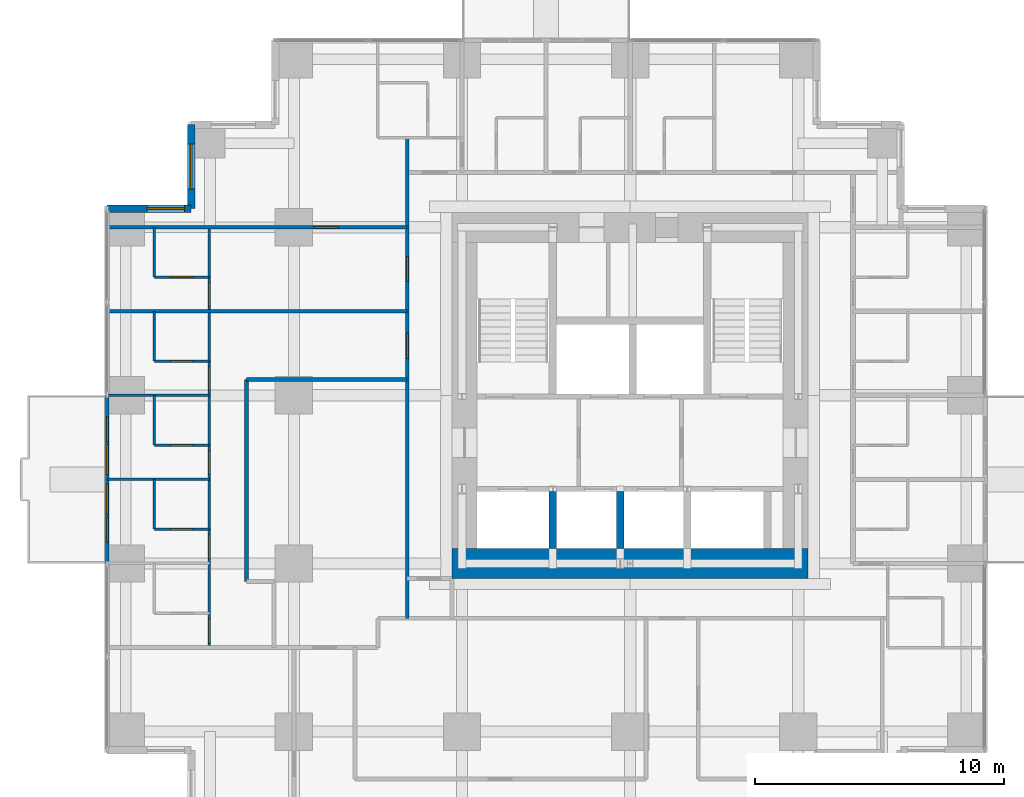
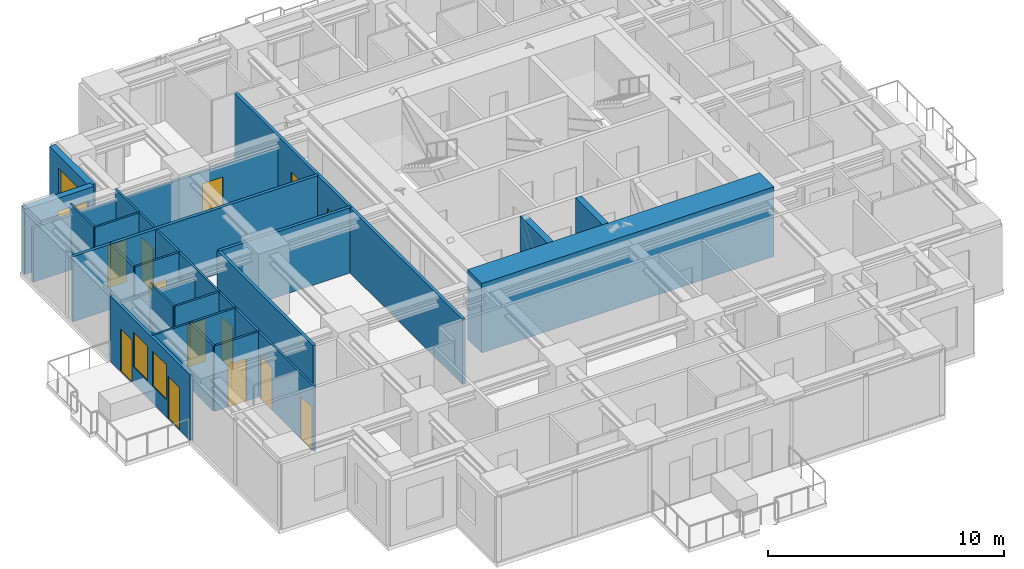
# One storey, part 6 of 10: 22 walls, 14 doors, 4 windows, 18 openings.
"""IFC4 building model written with IfcOpenShell, lengths in metres."""

from ifc_helpers import new_model, si_unit, direction, frame, frame_2d, origin, place, context, subcontext, project, spatial, rectangle, extrude, material, layer, layer_set, type_object, element, fill, save


model = new_model("IFC4")

# Units and contexts
model_context = context("Model", 3, precision=1e-05, world=origin(), true_north=direction((0.0, 1.0)))
body_context = subcontext(model_context, "Body", "Model", "MODEL_VIEW")
ifc_project = project(units=[si_unit("LENGTHUNIT", "METRE"), si_unit("AREAUNIT", "SQUARE_METRE"), si_unit("VOLUMEUNIT", "CUBIC_METRE"), si_unit("PLANEANGLEUNIT", "RADIAN"), si_unit("MASSUNIT", "GRAM", prefix="KILO")], contexts=[model_context])

# Site, building, storey
site_placement = place(None, origin())
site = spatial("IfcSite", under=ifc_project, at=site_placement, CompositionType="ELEMENT")
building_placement = place(site_placement, origin())
building = spatial("IfcBuilding", under=site, at=building_placement, Name="Nyansa Garden Tower", CompositionType="ELEMENT")
storey_placement = place(building_placement, frame((0.0, 0.0, 156.60009765625)))
storey = spatial("IfcBuildingStorey", under=building, at=storey_placement, Name="L42", CompositionType="ELEMENT", Elevation=156.60009765625)

# Wall, openings, doors, windows
ifc_material_1 = material(Name="Black aluminium framed glazed screen", Category="aluminium")
ifc_layer_1 = layer(ifc_material_1, 0.14990234375)
ifc_layer_set_1 = layer_set([ifc_layer_1], Name="Balcony screen wall BW150")
wall_type_1 = type_object("IfcWallType", Name="Balcony screen wall BW150", PredefinedType="SOLIDWALL", material=ifc_layer_set_1)
wall_1_placement = place(storey_placement, frame((-0.75, 13.5, 0.0), z_axis=(0.0, 0.0, 1.0), x_axis=(0.0, 1.0, 0.0)))
wall_1 = element("IfcWall", 1, at=wall_1_placement, inside=storey, type_object=wall_type_1, Name="Glazed screen wall L42 W", PredefinedType="SOLIDWALL", context=body_context, shape_type="SweptSolid", body=[
    extrude(rectangle(XDim=6.75, YDim=0.14990234375, at=frame_2d((3.375, 0.0))), origin(), (0.0, 0.0, 1.0), 3.375),
])
opening_1_placement = place(wall_1_placement, frame((0.862548828125, 0.0, 0.0)))
opening_1 = element("IfcOpeningElement", 2, at=opening_1_placement, cuts=wall_1, Name="Opening D20", PredefinedType="OPENING", context=body_context, shape_type="SweptSolid", body=[
    extrude(rectangle(XDim=1.0, YDim=2.199951171875, at=frame_2d((0.5, 1.10009765625))), frame((0.0, 0.0849609375, 0.0), z_axis=(0.0, -1.0, 0.0), x_axis=(1.0, 0.0, 0.0)), (0.0, 0.0, 1.0), 0.169921875),
])
opening_2_placement = place(wall_1_placement, frame((1.97509765625, 0.0, 0.89990234375)))
opening_2 = element("IfcOpeningElement", 3, at=opening_2_placement, cuts=wall_1, Name="Opening W6", PredefinedType="OPENING", context=body_context, shape_type="SweptSolid", body=[
    extrude(rectangle(XDim=1.199951171875, YDim=1.800048828125, at=frame_2d((0.60009765625, 0.89990234375))), frame((0.0, 0.0849609375, 0.0), z_axis=(0.0, -1.0, 0.0), x_axis=(1.0, 0.0, 0.0)), (0.0, 0.0, 1.0), 0.169921875),
])
opening_3_placement = place(wall_1_placement, frame((4.887451171875, 0.0, 0.0)))
opening_3 = element("IfcOpeningElement", 4, at=opening_3_placement, cuts=wall_1, Name="Opening D20", PredefinedType="OPENING", context=body_context, shape_type="SweptSolid", body=[
    extrude(rectangle(XDim=1.0, YDim=2.199951171875, at=frame_2d((0.5, 1.10009765625))), frame((0.0, 0.0849609375, 0.0), z_axis=(0.0, -1.0, 0.0), x_axis=(1.0, 0.0, 0.0)), (0.0, 0.0, 1.0), 0.169921875),
])
opening_4_placement = place(wall_1_placement, frame((3.574951171875, 0.0, 0.89990234375)))
opening_4 = element("IfcOpeningElement", 5, at=opening_4_placement, cuts=wall_1, Name="Opening W6", PredefinedType="OPENING", context=body_context, shape_type="SweptSolid", body=[
    extrude(rectangle(XDim=1.199951171875, YDim=1.800048828125, at=frame_2d((0.60009765625, 0.89990234375))), frame((0.0, 0.0849609375, 0.0), z_axis=(0.0, -1.0, 0.0), x_axis=(1.0, 0.0, 0.0)), (0.0, 0.0, 1.0), 0.169921875),
])
ifc_material_2 = material(Name="Black aluminium framed glazed door", Category="aluminium")
door_type_1 = type_object("IfcDoorType", Name="Balcony door D20 1000x2200", OperationType="NOTDEFINED", PredefinedType="DOOR", material=ifc_material_2)
door_1_placement = place(opening_1_placement, origin())
door_1 = element("IfcDoor", 6, at=door_1_placement, inside=storey, type_object=door_type_1, Name="Balcony door L42", OperationType="SINGLE_SWING_LEFT", OverallHeight=2.199951171875, OverallWidth=1.0, PredefinedType="DOOR", context=body_context, shape_type="SweptSolid", body=[
    extrude(rectangle(XDim=1.0, YDim=2.199951171875, at=frame_2d((0.5, 1.10009765625))), frame((0.0, 0.02490234375, 0.0), z_axis=(0.0, -1.0, 0.0), x_axis=(1.0, 0.0, 0.0)), (0.0, 0.0, 1.0), 0.050048828125),
])
fill(opening_1, door_1)
door_2_placement = place(opening_3_placement, origin())
door_2 = element("IfcDoor", 7, at=door_2_placement, inside=storey, type_object=door_type_1, Name="Balcony door L42", OperationType="SINGLE_SWING_RIGHT", OverallHeight=2.199951171875, OverallWidth=1.0, PredefinedType="DOOR", context=body_context, shape_type="SweptSolid", body=[
    extrude(rectangle(XDim=1.0, YDim=2.199951171875, at=frame_2d((0.5, 1.10009765625))), frame((0.0, 0.02490234375, 0.0), z_axis=(0.0, -1.0, 0.0), x_axis=(1.0, 0.0, 0.0)), (0.0, 0.0, 1.0), 0.050048828125),
])
fill(opening_3, door_2)
ifc_material_3 = material(Name="Black aluminium frame, dark tinted double glazing", Category="aluminium")
window_type_1 = type_object("IfcWindowType", Name="Balcony window W6 1200x1800", PartitioningType="SINGLE_PANEL", PredefinedType="WINDOW", material=ifc_material_3)
window_1_placement = place(opening_2_placement, origin())
window_1 = element("IfcWindow", 8, at=window_1_placement, inside=storey, type_object=window_type_1, Name="Window L42", OverallHeight=1.800048828125, OverallWidth=1.199951171875, PartitioningType="SINGLE_PANEL", PredefinedType="WINDOW", context=body_context, shape_type="SweptSolid", body=[
    extrude(rectangle(XDim=1.199951171875, YDim=1.800048828125, at=frame_2d((0.60009765625, 0.89990234375))), frame((0.0, 0.030029296875, 0.0), z_axis=(0.0, -1.0, 0.0), x_axis=(1.0, 0.0, 0.0)), (0.0, 0.0, 1.0), 0.06005859375),
])
fill(opening_2, window_1)
window_2_placement = place(opening_4_placement, origin())
window_2 = element("IfcWindow", 9, at=window_2_placement, inside=storey, type_object=window_type_1, Name="Window L42", OverallHeight=1.800048828125, OverallWidth=1.199951171875, PartitioningType="SINGLE_PANEL", PredefinedType="WINDOW", context=body_context, shape_type="SweptSolid", body=[
    extrude(rectangle(XDim=1.199951171875, YDim=1.800048828125, at=frame_2d((0.60009765625, 0.89990234375))), frame((0.0, 0.030029296875, 0.0), z_axis=(0.0, -1.0, 0.0), x_axis=(1.0, 0.0, 0.0)), (0.0, 0.0, 1.0), 0.06005859375),
])
fill(opening_4, window_2)

# Walls
ifc_material_4 = material(Name="Concrete C70/85", Category="concrete")
ifc_layer_2 = layer(ifc_material_4, 0.300048828125)
ifc_layer_set_2 = layer_set([ifc_layer_2], Name="Core inner wall CI300")
wall_type_2 = type_object("IfcWallType", Name="Core inner wall CI300", PredefinedType="SHEAR", material=ifc_layer_set_2)
for number, where, z_axis, x_axis, name in (
    (10, (17.14990234375, 14.10009765625, 0.0), (0.0, 0.0, 1.0), (0.0, 1.0, 0.0), "Core inner wall L42"),
    (11, (19.85009765625, 14.10009765625, 0.0), (0.0, 0.0, 1.0), (0.0, 1.0, 0.0), "Core inner wall L42"),
):
    element("IfcWall", number, at=place(storey_placement, frame(where, z_axis=z_axis, x_axis=x_axis)), inside=storey, type_object=wall_type_2, Name=name, PredefinedType="SHEAR", context=body_context, shape_type="SweptSolid", body=[
        extrude(rectangle(XDim=2.2998046875, YDim=0.300048828125, at=frame_2d((1.14990234375, 0.0))), origin(), (0.0, 0.0, 1.0), 3.599853515625),
    ])
ifc_material_5 = material(Name="Concrete C80/95", Category="concrete")
ifc_layer_3 = layer(ifc_material_5, 1.199951171875)
ifc_layer_set_3 = layer_set([ifc_layer_3], Name="Core wall CW1200")
wall_type_3 = type_object("IfcWallType", Name="Core wall CW1200", PredefinedType="SHEAR", material=ifc_layer_set_3)
wall_2_placement = place(storey_placement, frame((13.10009765625, 13.5, 0.0), z_axis=(0.0, 0.0, 1.0), x_axis=(1.0, 0.0, 0.0)))
element("IfcWall", 12, at=wall_2_placement, inside=storey, type_object=wall_type_3, Name="Core wall S L42", PredefinedType="SHEAR", context=body_context, shape_type="SweptSolid", body=[
    extrude(rectangle(XDim=14.2998046875, YDim=1.199951171875, at=frame_2d((7.14990234375, 0.0))), origin(), (0.0, 0.0, 1.0), 3.599853515625),
])
ifc_material_6 = material(Name="Blockwork, plastered both sides", Category="masonry")
ifc_layer_4 = layer(ifc_material_6, 0.14990234375)
ifc_layer_set_4 = layer_set([ifc_layer_4], Name="Partition PW150")
wall_type_4 = type_object("IfcWallType", Name="Partition PW150", PredefinedType="PARTITIONING", material=ifc_layer_set_4)
wall_3_placement = place(storey_placement, frame((-0.73388671875, 23.625, 0.0), z_axis=(0.0, 0.0, 1.0), x_axis=(1.0, 0.0, 0.0)))
element("IfcWall", 13, at=wall_3_placement, inside=storey, type_object=wall_type_4, Name="Partition", PredefinedType="PARTITIONING", context=body_context, shape_type="SweptSolid", body=[
    extrude(rectangle(XDim=12.033935546875, YDim=0.14990234375, at=frame_2d((6.01708984375, 0.0))), origin(), (0.0, 0.0, 1.0), 3.375),
])

# Wall, opening, door
wall_4_placement = place(storey_placement, frame((-0.73388671875, 27.0, 0.0), z_axis=(0.0, 0.0, 1.0), x_axis=(1.0, 0.0, 0.0)))
wall_4 = element("IfcWall", 14, at=wall_4_placement, inside=storey, type_object=wall_type_4, Name="Partition", PredefinedType="PARTITIONING", context=body_context, shape_type="SweptSolid", body=[
    extrude(rectangle(XDim=12.033935546875, YDim=0.14990234375, at=frame_2d((6.01708984375, 0.0))), origin(), (0.0, 0.0, 1.0), 2.805908203125),
])
opening_5_placement = place(wall_4_placement, frame((8.283935546875, 0.0, 0.0)))
opening_5 = element("IfcOpeningElement", 15, at=opening_5_placement, cuts=wall_4, Name="Opening D03", PredefinedType="OPENING", context=body_context, shape_type="SweptSolid", body=[
    extrude(rectangle(XDim=1.0, YDim=2.199951171875, at=frame_2d((0.5, 1.10009765625))), frame((0.0, 0.0849609375, 0.0), z_axis=(0.0, -1.0, 0.0), x_axis=(1.0, 0.0, 0.0)), (0.0, 0.0, 1.0), 0.169921875),
])
ifc_material_7 = material(Name="Timber flush door, 60 minute fire resisting", Category="wood")
door_type_2 = type_object("IfcDoorType", Name="Cluster entrance door D03 1000x2200", OperationType="SINGLE_SWING_LEFT", PredefinedType="DOOR", material=ifc_material_7)
door_3_placement = place(opening_5_placement, origin())
door_3 = element("IfcDoor", 16, at=door_3_placement, inside=storey, type_object=door_type_2, Name="Door L42-049", OperationType="SINGLE_SWING_LEFT", OverallHeight=2.199951171875, OverallWidth=1.0, PredefinedType="DOOR", context=body_context, shape_type="SweptSolid", body=[
    extrude(rectangle(XDim=1.0, YDim=2.199951171875, at=frame_2d((0.5, 1.10009765625))), frame((0.0, 0.02490234375, 0.0), z_axis=(0.0, -1.0, 0.0), x_axis=(1.0, 0.0, 0.0)), (0.0, 0.0, 1.0), 0.050048828125),
])
fill(opening_5, door_3)

# Walls
wall_5_placement = place(storey_placement, frame((4.85009765625, 12.77490234375, 0.0), z_axis=(0.0, 0.0, 1.0), x_axis=(0.0, 1.0, 0.0)))
element("IfcWall", 17, at=wall_5_placement, inside=storey, type_object=wall_type_4, Name="Partition", PredefinedType="PARTITIONING", context=body_context, shape_type="SweptSolid", body=[
    extrude(rectangle(XDim=8.112548828125, YDim=0.14990234375, at=frame_2d((4.05615234375, 0.0))), origin(), (0.0, 0.0, 1.0), 3.375),
])
wall_6_placement = place(storey_placement, frame((4.85009765625, 20.886962890625, 0.0), z_axis=(0.0, 0.0, 1.0), x_axis=(1.0, 0.0, 0.0)))
element("IfcWall", 18, at=wall_6_placement, inside=storey, type_object=wall_type_4, Name="Partition", PredefinedType="PARTITIONING", context=body_context, shape_type="SweptSolid", body=[
    extrude(rectangle(XDim=6.449951171875, YDim=0.14990234375, at=frame_2d((3.22509765625, 0.0))), origin(), (0.0, 0.0, 1.0), 3.375),
])

# Wall, openings, doors
wall_7_placement = place(storey_placement, frame((11.300048828125, 11.300048828125, 0.0), z_axis=(0.0, 0.0, 1.0), x_axis=(0.0, 1.0, 0.0)))
wall_7 = element("IfcWall", 19, at=wall_7_placement, inside=storey, type_object=wall_type_4, Name="Partition", PredefinedType="PARTITIONING", context=body_context, shape_type="SweptSolid", body=[
    extrude(rectangle(XDim=19.300048828125, YDim=0.14990234375, at=frame_2d((9.64990234375, 0.0))), origin(), (0.0, 0.0, 1.0), 3.375),
])
opening_6_placement = place(wall_7_placement, frame((13.52490234375, 0.0, 0.0)))
opening_6 = element("IfcOpeningElement", 20, at=opening_6_placement, cuts=wall_7, Name="Opening D03", PredefinedType="OPENING", context=body_context, shape_type="SweptSolid", body=[
    extrude(rectangle(XDim=1.0, YDim=2.199951171875, at=frame_2d((0.5, 1.10009765625))), frame((0.0, 0.0849609375, 0.0), z_axis=(0.0, -1.0, 0.0), x_axis=(1.0, 0.0, 0.0)), (0.0, 0.0, 1.0), 0.169921875),
])
opening_7_placement = place(wall_7_placement, frame((10.4375, 0.0, 0.0)))
opening_7 = element("IfcOpeningElement", 21, at=opening_7_placement, cuts=wall_7, Name="Opening D03", PredefinedType="OPENING", context=body_context, shape_type="SweptSolid", body=[
    extrude(rectangle(XDim=1.0, YDim=2.199951171875, at=frame_2d((0.5, 1.10009765625))), frame((0.0, 0.0849609375, 0.0), z_axis=(0.0, -1.0, 0.0), x_axis=(1.0, 0.0, 0.0)), (0.0, 0.0, 1.0), 0.169921875),
])
door_4_placement = place(opening_6_placement, origin())
door_4 = element("IfcDoor", 22, at=door_4_placement, inside=storey, type_object=door_type_2, Name="Door L42-052", OperationType="SINGLE_SWING_LEFT", OverallHeight=2.199951171875, OverallWidth=1.0, PredefinedType="DOOR", context=body_context, shape_type="SweptSolid", body=[
    extrude(rectangle(XDim=1.0, YDim=2.199951171875, at=frame_2d((0.5, 1.10009765625))), frame((0.0, 0.02490234375, 0.0), z_axis=(0.0, -1.0, 0.0), x_axis=(1.0, 0.0, 0.0)), (0.0, 0.0, 1.0), 0.050048828125),
])
fill(opening_6, door_4)
door_5_placement = place(opening_7_placement, origin())
door_5 = element("IfcDoor", 23, at=door_5_placement, inside=storey, type_object=door_type_2, Name="Door L42-061", OperationType="SINGLE_SWING_LEFT", OverallHeight=2.199951171875, OverallWidth=1.0, PredefinedType="DOOR", context=body_context, shape_type="SweptSolid", body=[
    extrude(rectangle(XDim=1.0, YDim=2.199951171875, at=frame_2d((0.5, 1.10009765625))), frame((0.0, 0.02490234375, 0.0), z_axis=(0.0, -1.0, 0.0), x_axis=(1.0, 0.0, 0.0)), (0.0, 0.0, 1.0), 0.050048828125),
])
fill(opening_7, door_5)

# Wall, opening, window
ifc_material_8 = material(Name="Turquoise glazed tile on concrete blockwork", Category="masonry")
ifc_layer_5 = layer(ifc_material_8, 0.300048828125)
ifc_layer_set_5 = layer_set([ifc_layer_5], Name="Tiled corner wall TW300")
wall_type_5 = type_object("IfcWallType", Name="Tiled corner wall TW300", PredefinedType="SOLIDWALL", material=ifc_layer_set_5)
wall_8_placement = place(storey_placement, frame((2.625, 31.125, 0.0), z_axis=(0.0, 0.0, 1.0), x_axis=(0.0, -1.0, 0.0)))
wall_8 = element("IfcWall", 24, at=wall_8_placement, inside=storey, type_object=wall_type_5, Name="Tiled corner wall L42", PredefinedType="SOLIDWALL", context=body_context, shape_type="SweptSolid", body=[
    extrude(rectangle(XDim=3.375, YDim=0.300048828125, at=frame_2d((1.6875, 0.0))), origin(), (0.0, 0.0, 1.0), 3.375),
])
opening_8_placement = place(wall_8_placement, frame((0.78759765625, 0.0, 0.60009765625)))
opening_8 = element("IfcOpeningElement", 25, at=opening_8_placement, cuts=wall_8, Name="Opening W2", PredefinedType="OPENING", context=body_context, shape_type="SweptSolid", body=[
    extrude(rectangle(XDim=1.800048828125, YDim=2.10009765625, at=frame_2d((0.89990234375, 1.050048828125))), frame((0.0, 0.159912109375, 0.0), z_axis=(0.0, -1.0, 0.0), x_axis=(1.0, 0.0, 0.0)), (0.0, 0.0, 1.0), 0.320068359375),
])
ifc_material_9 = material(Name="Black aluminium frame, dark tinted double glazing", Category="aluminium")
window_type_2 = type_object("IfcWindowType", Name="Window W2 1800x2100", PartitioningType="SINGLE_PANEL", PredefinedType="WINDOW", material=ifc_material_9)
window_3_placement = place(opening_8_placement, origin())
window_3 = element("IfcWindow", 26, at=window_3_placement, inside=storey, type_object=window_type_2, Name="Corner window L42", OverallHeight=2.10009765625, OverallWidth=1.800048828125, PartitioningType="SINGLE_PANEL", PredefinedType="WINDOW", context=body_context, shape_type="SweptSolid", body=[
    extrude(rectangle(XDim=1.800048828125, YDim=2.10009765625, at=frame_2d((0.89990234375, 1.050048828125))), frame((0.0, 0.030029296875, 0.0), z_axis=(0.0, -1.0, 0.0), x_axis=(1.0, 0.0, 0.0)), (0.0, 0.0, 1.0), 0.06005859375),
])
fill(opening_8, window_3)

wall_9_placement = place(storey_placement, frame((2.625, 27.75, 0.0), z_axis=(0.0, 0.0, 1.0), x_axis=(-1.0, 0.0, 0.0)))
wall_9 = element("IfcWall", 27, at=wall_9_placement, inside=storey, type_object=wall_type_5, Name="Tiled corner wall L42", PredefinedType="SOLIDWALL", context=body_context, shape_type="SweptSolid", body=[
    extrude(rectangle(XDim=3.375, YDim=0.300048828125, at=frame_2d((1.6875, 0.0))), origin(), (0.0, 0.0, 1.0), 3.375),
])
opening_9_placement = place(wall_9_placement, frame((0.267578125, 0.0, 0.89990234375)))
opening_9 = element("IfcOpeningElement", 28, at=opening_9_placement, cuts=wall_9, Name="Opening W1", PredefinedType="OPENING", context=body_context, shape_type="SweptSolid", body=[
    extrude(rectangle(XDim=1.5, YDim=1.800048828125, at=frame_2d((0.75, 0.89990234375))), frame((0.0, 0.159912109375, 0.0), z_axis=(0.0, -1.0, 0.0), x_axis=(1.0, 0.0, 0.0)), (0.0, 0.0, 1.0), 0.320068359375),
])
ifc_material_10 = material(Name="Black aluminium frame, dark tinted double glazing", Category="aluminium")
window_type_3 = type_object("IfcWindowType", Name="Window W1 1500x1800", PartitioningType="SINGLE_PANEL", PredefinedType="WINDOW", material=ifc_material_10)
window_4_placement = place(opening_9_placement, origin())
window_4 = element("IfcWindow", 29, at=window_4_placement, inside=storey, type_object=window_type_3, Name="Corner window L42", OverallHeight=1.800048828125, OverallWidth=1.5, PartitioningType="SINGLE_PANEL", PredefinedType="WINDOW", context=body_context, shape_type="SweptSolid", body=[
    extrude(rectangle(XDim=1.5, YDim=1.800048828125, at=frame_2d((0.75, 0.89990234375))), frame((0.0, 0.030029296875, 0.0), z_axis=(0.0, -1.0, 0.0), x_axis=(1.0, 0.0, 0.0)), (0.0, 0.0, 1.0), 0.06005859375),
])
fill(opening_9, window_4)

# Walls
ifc_material_11 = material(Name="Moisture resistant board on steel studs, tiled", Category="steel")
ifc_layer_6 = layer(ifc_material_11, 0.10009765625)
ifc_layer_set_6 = layer_set([ifc_layer_6], Name="Wet wall PW100")
wall_type_6 = type_object("IfcWallType", Name="Wet wall PW100", PredefinedType="PARTITIONING", material=ifc_layer_set_6)
wall_10_placement = place(storey_placement, frame((-0.73388671875, 16.875, 0.0), z_axis=(0.0, 0.0, 1.0), x_axis=(1.0, 0.0, 0.0)))
element("IfcWall", 30, at=wall_10_placement, inside=storey, type_object=wall_type_6, Name="Wet wall", PredefinedType="PARTITIONING", context=body_context, shape_type="SweptSolid", body=[
    extrude(rectangle(XDim=4.083984375, YDim=0.10009765625, at=frame_2d((2.0419921875, 0.0))), origin(), (0.0, 0.0, 1.0), 3.375),
])
wall_11_placement = place(storey_placement, frame((-0.73388671875, 20.25, 0.0), z_axis=(0.0, 0.0, 1.0), x_axis=(1.0, 0.0, 0.0)))
element("IfcWall", 31, at=wall_11_placement, inside=storey, type_object=wall_type_6, Name="Wet wall", PredefinedType="PARTITIONING", context=body_context, shape_type="SweptSolid", body=[
    extrude(rectangle(XDim=4.083984375, YDim=0.10009765625, at=frame_2d((2.0419921875, 0.0))), origin(), (0.0, 0.0, 1.0), 2.876953125),
])
wall_12_placement = place(storey_placement, frame((1.14990234375, 14.875, 0.0), z_axis=(0.0, 0.0, 1.0), x_axis=(0.0, 1.0, 0.0)))
element("IfcWall", 32, at=wall_12_placement, inside=storey, type_object=wall_type_6, Name="Wet wall", PredefinedType="PARTITIONING", context=body_context, shape_type="SweptSolid", body=[
    extrude(rectangle(XDim=2.0, YDim=0.10009765625, at=frame_2d((1.0, 0.0))), origin(), (0.0, 0.0, 1.0), 3.375),
])

# Wall, opening, door
wall_13_placement = place(storey_placement, frame((1.14990234375, 14.875, 0.0), z_axis=(0.0, 0.0, 1.0), x_axis=(1.0, 0.0, 0.0)))
wall_13 = element("IfcWall", 33, at=wall_13_placement, inside=storey, type_object=wall_type_6, Name="Wet wall", PredefinedType="PARTITIONING", context=body_context, shape_type="SweptSolid", body=[
    extrude(rectangle(XDim=2.2001953125, YDim=0.10009765625, at=frame_2d((1.10009765625, 0.0))), origin(), (0.0, 0.0, 1.0), 3.375),
])
opening_10_placement = place(wall_13_placement, frame((0.64990234375, 0.0, 0.0)))
opening_10 = element("IfcOpeningElement", 34, at=opening_10_placement, cuts=wall_13, Name="Opening D02", PredefinedType="OPENING", context=body_context, shape_type="SweptSolid", body=[
    extrude(rectangle(XDim=0.89990234375, YDim=2.199951171875, at=frame_2d((0.449951171875, 1.10009765625))), frame((0.0, 0.06005859375, 0.0), z_axis=(0.0, -1.0, 0.0), x_axis=(1.0, 0.0, 0.0)), (0.0, 0.0, 1.0), 0.1201171875),
])
ifc_material_12 = material(Name="Timber flush door", Category="wood")
door_type_3 = type_object("IfcDoorType", Name="En-suite door D02 900x2200", OperationType="SINGLE_SWING_RIGHT", PredefinedType="DOOR", material=ifc_material_12)
door_6_placement = place(opening_10_placement, origin())
door_6 = element("IfcDoor", 35, at=door_6_placement, inside=storey, type_object=door_type_3, Name="Door L42-056", OperationType="SINGLE_SWING_RIGHT", OverallHeight=2.199951171875, OverallWidth=0.89990234375, PredefinedType="DOOR", context=body_context, shape_type="SweptSolid", body=[
    extrude(rectangle(XDim=0.89990234375, YDim=2.199951171875, at=frame_2d((0.449951171875, 1.10009765625))), frame((0.0, 0.02490234375, 0.0), z_axis=(0.0, -1.0, 0.0), x_axis=(1.0, 0.0, 0.0)), (0.0, 0.0, 1.0), 0.050048828125),
])
fill(opening_10, door_6)

# Wall
wall_14_placement = place(storey_placement, frame((1.14990234375, 18.25, 0.0), z_axis=(0.0, 0.0, 1.0), x_axis=(0.0, 1.0, 0.0)))
element("IfcWall", 36, at=wall_14_placement, inside=storey, type_object=wall_type_6, Name="Wet wall", PredefinedType="PARTITIONING", context=body_context, shape_type="SweptSolid", body=[
    extrude(rectangle(XDim=2.0, YDim=0.10009765625, at=frame_2d((1.0, 0.0))), origin(), (0.0, 0.0, 1.0), 3.375),
])

# Wall, opening, door
wall_15_placement = place(storey_placement, frame((1.14990234375, 18.25, 0.0), z_axis=(0.0, 0.0, 1.0), x_axis=(1.0, 0.0, 0.0)))
wall_15 = element("IfcWall", 37, at=wall_15_placement, inside=storey, type_object=wall_type_6, Name="Wet wall", PredefinedType="PARTITIONING", context=body_context, shape_type="SweptSolid", body=[
    extrude(rectangle(XDim=2.2001953125, YDim=0.10009765625, at=frame_2d((1.10009765625, 0.0))), origin(), (0.0, 0.0, 1.0), 3.375),
])
opening_11_placement = place(wall_15_placement, frame((0.64990234375, 0.0, 0.0)))
opening_11 = element("IfcOpeningElement", 38, at=opening_11_placement, cuts=wall_15, Name="Opening D02", PredefinedType="OPENING", context=body_context, shape_type="SweptSolid", body=[
    extrude(rectangle(XDim=0.89990234375, YDim=2.199951171875, at=frame_2d((0.449951171875, 1.10009765625))), frame((0.0, 0.06005859375, 0.0), z_axis=(0.0, -1.0, 0.0), x_axis=(1.0, 0.0, 0.0)), (0.0, 0.0, 1.0), 0.1201171875),
])
door_7_placement = place(opening_11_placement, origin())
door_7 = element("IfcDoor", 39, at=door_7_placement, inside=storey, type_object=door_type_3, Name="Door L42-058", OperationType="SINGLE_SWING_RIGHT", OverallHeight=2.199951171875, OverallWidth=0.89990234375, PredefinedType="DOOR", context=body_context, shape_type="SweptSolid", body=[
    extrude(rectangle(XDim=0.89990234375, YDim=2.199951171875, at=frame_2d((0.449951171875, 1.10009765625))), frame((0.0, 0.02490234375, 0.0), z_axis=(0.0, -1.0, 0.0), x_axis=(1.0, 0.0, 0.0)), (0.0, 0.0, 1.0), 0.050048828125),
])
fill(opening_11, door_7)

# Wall
wall_16_placement = place(storey_placement, frame((1.14990234375, 21.625, 0.0), z_axis=(0.0, 0.0, 1.0), x_axis=(0.0, 1.0, 0.0)))
element("IfcWall", 40, at=wall_16_placement, inside=storey, type_object=wall_type_6, Name="Wet wall", PredefinedType="PARTITIONING", context=body_context, shape_type="SweptSolid", body=[
    extrude(rectangle(XDim=2.0, YDim=0.10009765625, at=frame_2d((1.0, 0.0))), origin(), (0.0, 0.0, 1.0), 3.375),
])

# Wall, opening, door
wall_17_placement = place(storey_placement, frame((1.14990234375, 21.625, 0.0), z_axis=(0.0, 0.0, 1.0), x_axis=(1.0, 0.0, 0.0)))
wall_17 = element("IfcWall", 41, at=wall_17_placement, inside=storey, type_object=wall_type_6, Name="Wet wall", PredefinedType="PARTITIONING", context=body_context, shape_type="SweptSolid", body=[
    extrude(rectangle(XDim=2.2001953125, YDim=0.10009765625, at=frame_2d((1.10009765625, 0.0))), origin(), (0.0, 0.0, 1.0), 3.375),
])
opening_12_placement = place(wall_17_placement, frame((0.64990234375, 0.0, 0.0)))
opening_12 = element("IfcOpeningElement", 42, at=opening_12_placement, cuts=wall_17, Name="Opening D02", PredefinedType="OPENING", context=body_context, shape_type="SweptSolid", body=[
    extrude(rectangle(XDim=0.89990234375, YDim=2.199951171875, at=frame_2d((0.449951171875, 1.10009765625))), frame((0.0, 0.06005859375, 0.0), z_axis=(0.0, -1.0, 0.0), x_axis=(1.0, 0.0, 0.0)), (0.0, 0.0, 1.0), 0.1201171875),
])
door_8_placement = place(opening_12_placement, origin())
door_8 = element("IfcDoor", 43, at=door_8_placement, inside=storey, type_object=door_type_3, Name="Door L42-060", OperationType="SINGLE_SWING_RIGHT", OverallHeight=2.199951171875, OverallWidth=0.89990234375, PredefinedType="DOOR", context=body_context, shape_type="SweptSolid", body=[
    extrude(rectangle(XDim=0.89990234375, YDim=2.199951171875, at=frame_2d((0.449951171875, 1.10009765625))), frame((0.0, 0.02490234375, 0.0), z_axis=(0.0, -1.0, 0.0), x_axis=(1.0, 0.0, 0.0)), (0.0, 0.0, 1.0), 0.050048828125),
])
fill(opening_12, door_8)

# Wall
wall_18_placement = place(storey_placement, frame((1.14990234375, 25.0, 0.0), z_axis=(0.0, 0.0, 1.0), x_axis=(0.0, 1.0, 0.0)))
element("IfcWall", 44, at=wall_18_placement, inside=storey, type_object=wall_type_6, Name="Wet wall", PredefinedType="PARTITIONING", context=body_context, shape_type="SweptSolid", body=[
    extrude(rectangle(XDim=2.0, YDim=0.10009765625, at=frame_2d((1.0, 0.0))), origin(), (0.0, 0.0, 1.0), 3.375),
])

# Wall, opening, door
wall_19_placement = place(storey_placement, frame((1.14990234375, 25.0, 0.0), z_axis=(0.0, 0.0, 1.0), x_axis=(1.0, 0.0, 0.0)))
wall_19 = element("IfcWall", 45, at=wall_19_placement, inside=storey, type_object=wall_type_6, Name="Wet wall", PredefinedType="PARTITIONING", context=body_context, shape_type="SweptSolid", body=[
    extrude(rectangle(XDim=2.2001953125, YDim=0.10009765625, at=frame_2d((1.10009765625, 0.0))), origin(), (0.0, 0.0, 1.0), 3.375),
])
opening_13_placement = place(wall_19_placement, frame((0.64990234375, 0.0, 0.0)))
opening_13 = element("IfcOpeningElement", 46, at=opening_13_placement, cuts=wall_19, Name="Opening D02", PredefinedType="OPENING", context=body_context, shape_type="SweptSolid", body=[
    extrude(rectangle(XDim=0.89990234375, YDim=2.199951171875, at=frame_2d((0.449951171875, 1.10009765625))), frame((0.0, 0.06005859375, 0.0), z_axis=(0.0, -1.0, 0.0), x_axis=(1.0, 0.0, 0.0)), (0.0, 0.0, 1.0), 0.1201171875),
])
door_9_placement = place(opening_13_placement, origin())
door_9 = element("IfcDoor", 47, at=door_9_placement, inside=storey, type_object=door_type_3, Name="Door L42-051", OperationType="SINGLE_SWING_RIGHT", OverallHeight=2.199951171875, OverallWidth=0.89990234375, PredefinedType="DOOR", context=body_context, shape_type="SweptSolid", body=[
    extrude(rectangle(XDim=0.89990234375, YDim=2.199951171875, at=frame_2d((0.449951171875, 1.10009765625))), frame((0.0, 0.02490234375, 0.0), z_axis=(0.0, -1.0, 0.0), x_axis=(1.0, 0.0, 0.0)), (0.0, 0.0, 1.0), 0.050048828125),
])
fill(opening_13, door_9)

# Wall, openings, doors
wall_20_placement = place(storey_placement, frame((3.35009765625, 10.125, 0.0), z_axis=(0.0, 0.0, 1.0), x_axis=(0.0, 1.0, 0.0)))
wall_20 = element("IfcWall", 48, at=wall_20_placement, inside=storey, type_object=wall_type_6, Name="Wet wall", PredefinedType="PARTITIONING", context=body_context, shape_type="SweptSolid", body=[
    extrude(rectangle(XDim=16.875, YDim=0.10009765625, at=frame_2d((8.4375, 0.0))), origin(), (0.0, 0.0, 1.0), 3.375),
])
opening_14_placement = place(wall_20_placement, frame((13.699951171875, 0.0, 0.0)))
opening_14 = element("IfcOpeningElement", 49, at=opening_14_placement, cuts=wall_20, Name="Opening D01", PredefinedType="OPENING", context=body_context, shape_type="SweptSolid", body=[
    extrude(rectangle(XDim=0.949951171875, YDim=2.199951171875, at=frame_2d((0.47509765625, 1.10009765625))), frame((0.0, 0.06005859375, 0.0), z_axis=(0.0, -1.0, 0.0), x_axis=(1.0, 0.0, 0.0)), (0.0, 0.0, 1.0), 0.1201171875),
])
opening_15_placement = place(wall_20_placement, frame((0.199951171875, 0.0, 0.0)))
opening_15 = element("IfcOpeningElement", 50, at=opening_15_placement, cuts=wall_20, Name="Opening D14", PredefinedType="OPENING", context=body_context, shape_type="SweptSolid", body=[
    extrude(rectangle(XDim=0.949951171875, YDim=2.199951171875, at=frame_2d((0.47509765625, 1.10009765625))), frame((0.0, 0.06005859375, 0.0), z_axis=(0.0, -1.0, 0.0), x_axis=(1.0, 0.0, 0.0)), (0.0, 0.0, 1.0), 0.1201171875),
])
opening_16_placement = place(wall_20_placement, frame((3.574951171875, 0.0, 0.0)))
opening_16 = element("IfcOpeningElement", 51, at=opening_16_placement, cuts=wall_20, Name="Opening D14", PredefinedType="OPENING", context=body_context, shape_type="SweptSolid", body=[
    extrude(rectangle(XDim=0.949951171875, YDim=2.199951171875, at=frame_2d((0.47509765625, 1.10009765625))), frame((0.0, 0.06005859375, 0.0), z_axis=(0.0, -1.0, 0.0), x_axis=(1.0, 0.0, 0.0)), (0.0, 0.0, 1.0), 0.1201171875),
])
opening_17_placement = place(wall_20_placement, frame((6.949951171875, 0.0, 0.0)))
opening_17 = element("IfcOpeningElement", 52, at=opening_17_placement, cuts=wall_20, Name="Opening D14", PredefinedType="OPENING", context=body_context, shape_type="SweptSolid", body=[
    extrude(rectangle(XDim=0.949951171875, YDim=2.199951171875, at=frame_2d((0.47509765625, 1.10009765625))), frame((0.0, 0.06005859375, 0.0), z_axis=(0.0, -1.0, 0.0), x_axis=(1.0, 0.0, 0.0)), (0.0, 0.0, 1.0), 0.1201171875),
])
opening_18_placement = place(wall_20_placement, frame((10.324951171875, 0.0, 0.0)))
opening_18 = element("IfcOpeningElement", 53, at=opening_18_placement, cuts=wall_20, Name="Opening D14", PredefinedType="OPENING", context=body_context, shape_type="SweptSolid", body=[
    extrude(rectangle(XDim=0.949951171875, YDim=2.199951171875, at=frame_2d((0.47509765625, 1.10009765625))), frame((0.0, 0.06005859375, 0.0), z_axis=(0.0, -1.0, 0.0), x_axis=(1.0, 0.0, 0.0)), (0.0, 0.0, 1.0), 0.1201171875),
])
ifc_material_13 = material(Name="Timber flush door, 30 minute fire resisting", Category="wood")
door_type_4 = type_object("IfcDoorType", Name="Bedroom door D01 950x2200", OperationType="SINGLE_SWING_LEFT", PredefinedType="DOOR", material=ifc_material_13)
door_10_placement = place(opening_14_placement, origin())
door_10 = element("IfcDoor", 54, at=door_10_placement, inside=storey, type_object=door_type_4, Name="Door L42-050", OperationType="SINGLE_SWING_LEFT", OverallHeight=2.199951171875, OverallWidth=0.949951171875, PredefinedType="DOOR", context=body_context, shape_type="SweptSolid", body=[
    extrude(rectangle(XDim=0.949951171875, YDim=2.199951171875, at=frame_2d((0.47509765625, 1.10009765625))), frame((0.0, 0.02490234375, 0.0), z_axis=(0.0, -1.0, 0.0), x_axis=(1.0, 0.0, 0.0)), (0.0, 0.0, 1.0), 0.050048828125),
])
fill(opening_14, door_10)
ifc_material_14 = material(Name="Timber flush door, 60 minute fire resisting, self-closing", Category="wood")
door_type_5 = type_object("IfcDoorType", Name="Studio entrance door D14 950x2200", OperationType="SINGLE_SWING_LEFT", PredefinedType="DOOR", material=ifc_material_14)
door_11_placement = place(opening_15_placement, origin())
door_11 = element("IfcDoor", 55, at=door_11_placement, inside=storey, type_object=door_type_5, Name="Door L42-053", OperationType="SINGLE_SWING_LEFT", OverallHeight=2.199951171875, OverallWidth=0.949951171875, PredefinedType="DOOR", context=body_context, shape_type="SweptSolid", body=[
    extrude(rectangle(XDim=0.949951171875, YDim=2.199951171875, at=frame_2d((0.47509765625, 1.10009765625))), frame((0.0, 0.02490234375, 0.0), z_axis=(0.0, -1.0, 0.0), x_axis=(1.0, 0.0, 0.0)), (0.0, 0.0, 1.0), 0.050048828125),
])
fill(opening_15, door_11)
door_12_placement = place(opening_16_placement, origin())
door_12 = element("IfcDoor", 56, at=door_12_placement, inside=storey, type_object=door_type_5, Name="Door L42-055", OperationType="SINGLE_SWING_LEFT", OverallHeight=2.199951171875, OverallWidth=0.949951171875, PredefinedType="DOOR", context=body_context, shape_type="SweptSolid", body=[
    extrude(rectangle(XDim=0.949951171875, YDim=2.199951171875, at=frame_2d((0.47509765625, 1.10009765625))), frame((0.0, 0.02490234375, 0.0), z_axis=(0.0, -1.0, 0.0), x_axis=(1.0, 0.0, 0.0)), (0.0, 0.0, 1.0), 0.050048828125),
])
fill(opening_16, door_12)
door_13_placement = place(opening_17_placement, origin())
door_13 = element("IfcDoor", 57, at=door_13_placement, inside=storey, type_object=door_type_5, Name="Door L42-057", OperationType="SINGLE_SWING_LEFT", OverallHeight=2.199951171875, OverallWidth=0.949951171875, PredefinedType="DOOR", context=body_context, shape_type="SweptSolid", body=[
    extrude(rectangle(XDim=0.949951171875, YDim=2.199951171875, at=frame_2d((0.47509765625, 1.10009765625))), frame((0.0, 0.02490234375, 0.0), z_axis=(0.0, -1.0, 0.0), x_axis=(1.0, 0.0, 0.0)), (0.0, 0.0, 1.0), 0.050048828125),
])
fill(opening_17, door_13)
door_14_placement = place(opening_18_placement, origin())
door_14 = element("IfcDoor", 58, at=door_14_placement, inside=storey, type_object=door_type_5, Name="Door L42-059", OperationType="SINGLE_SWING_LEFT", OverallHeight=2.199951171875, OverallWidth=0.949951171875, PredefinedType="DOOR", context=body_context, shape_type="SweptSolid", body=[
    extrude(rectangle(XDim=0.949951171875, YDim=2.199951171875, at=frame_2d((0.47509765625, 1.10009765625))), frame((0.0, 0.02490234375, 0.0), z_axis=(0.0, -1.0, 0.0), x_axis=(1.0, 0.0, 0.0)), (0.0, 0.0, 1.0), 0.050048828125),
])
fill(opening_18, door_14)

save(model, "model.ifc")
